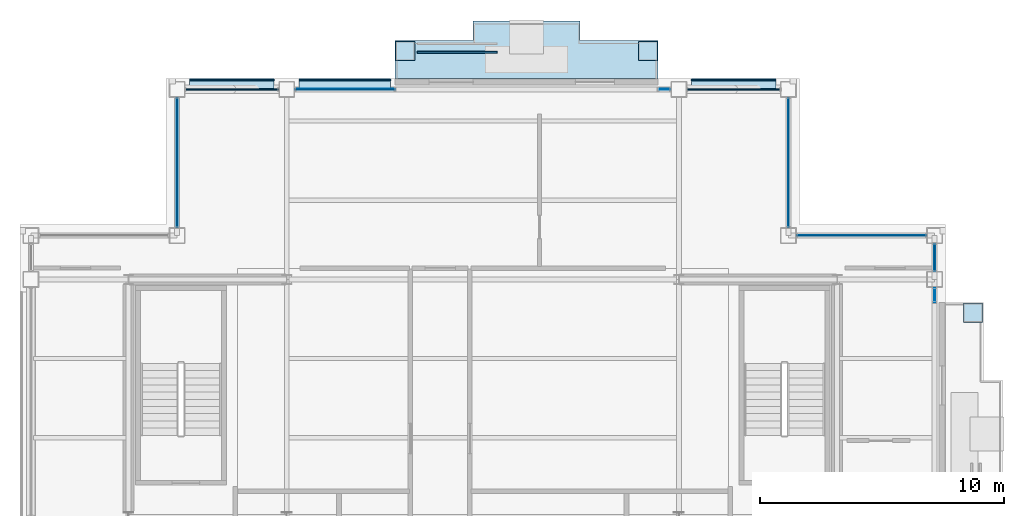
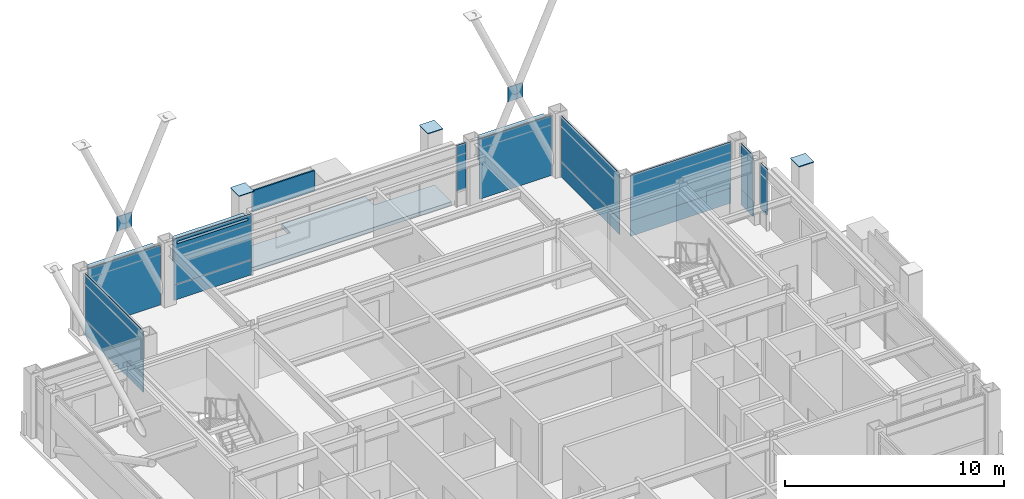
# One storey, part 24 of 30: 26 plates, 1 slab, 9 elements without a shape of their own.
"""IFC4 building model written with IfcOpenShell, lengths in metres."""

from ifc_helpers import new_model, si_unit, direction, frame, origin, origin_2d, place, context, subcontext, project, spatial, polyline, rectangle, outline, extrude, material, layer, layer_set, type_object, element, aggregate, save


model = new_model("IFC4")

# Units and contexts
model_context = context("Model", 3, precision=1e-05, world=origin(), true_north=direction((0.0, 1.0)))
body_context = subcontext(model_context, "Body", "Model", "MODEL_VIEW")
ifc_project = project(units=[si_unit("LENGTHUNIT", "METRE"), si_unit("AREAUNIT", "SQUARE_METRE"), si_unit("VOLUMEUNIT", "CUBIC_METRE"), si_unit("PLANEANGLEUNIT", "RADIAN"), si_unit("MASSUNIT", "GRAM", prefix="KILO")], contexts=[model_context])

# Site, building, storey
site_placement = place(None, origin())
site = spatial("IfcSite", under=ifc_project, at=site_placement, CompositionType="ELEMENT")
building_placement = place(site_placement, origin())
building = spatial("IfcBuilding", under=site, at=building_placement, Name="Brelmoor Portico Tower", CompositionType="ELEMENT")
storey_placement = place(building_placement, frame((0.0, 0.0, 236.39990234375)))
storey = spatial("IfcBuildingStorey", under=building, at=storey_placement, Name="L62", CompositionType="ELEMENT", Elevation=236.39990234375)

# Plates
ifc_material_1 = material(Name="Steel Q355B", Category="steel")
ifc_layer_1 = layer(ifc_material_1, 0.044921875)
ifc_layer_set_1 = layer_set([ifc_layer_1], Name="Steel Q355B")
plate_type_1 = type_object("IfcPlateType", Name="PT-CAP-650", PredefinedType="SHEET", material=ifc_layer_set_1)
for number, where, z_axis, x_axis, name in (
    (1, (-3.179931640625, 19.1298828125, 3.60009765625), (0.0, 0.0, 1.0), (1.0, 0.0, 0.0), "L62 Proud Picture-Frame Pier PFJ-N1 Welded Head Cap Plate"),
    (2, (6.780029296875, 19.1298828125, 3.60009765625), (0.0, 0.0, 1.0), (1.0, 0.0, 0.0), "L62 Proud Picture-Frame Pier PFJ-N2 Welded Head Cap Plate"),
    (3, (20.1298828125, 8.3798828125, 3.60009765625), (0.0, 0.0, 1.0), (0.0, 1.0, 0.0), "L62 Proud Picture-Frame Pier PFJ-E2 Welded Head Cap Plate"),
):
    element("IfcPlate", number, at=place(storey_placement, frame(where, z_axis=z_axis, x_axis=x_axis)), inside=storey, type_object=plate_type_1, Name=name, PredefinedType="SHEET", context=body_context, shape_type="SweptSolid", body=[
        extrude(rectangle(XDim=0.7900390625, YDim=0.7900390625, at=origin_2d()), origin(), (0.0, 0.0, 1.0), 0.0400390625),
    ])

# Curtain wall, plate
ifc_material_2 = material(Name="Anodised Aluminium Alloy 6063-T6", Category="aluminium")
ifc_layer_2 = layer(ifc_material_2, 0.179931640625)
ifc_layer_set_2 = layer_set([ifc_layer_2], Name="Anodised Aluminium Alloy 6063-T6")
curtain_wall_type_1 = type_object("IfcCurtainWallType", Name="CW-TOWER-Z4", PredefinedType="NOTDEFINED", material=ifc_layer_set_2)
curtain_wall_1_placement = place(storey_placement, origin())
curtain_wall_1 = element("IfcCurtainWall", 4, at=curtain_wall_1_placement, inside=storey, type_object=curtain_wall_type_1, Name="L62 Curtain Wall CW-L62-2L-2", PredefinedType="NOTDEFINED")
ifc_material_3 = material(Name="Double-Silver Low-E Insulated Glazing", Category="glass")
ifc_layer_3 = layer(ifc_material_3, 0.035888671875)
ifc_layer_set_3 = layer_set([ifc_layer_3], Name="Double-Silver Low-E Insulated Glazing")
plate_type_2 = type_object("IfcPlateType", Name="PT-CW-GLASS", PredefinedType="CURTAIN_PANEL", material=ifc_layer_set_3)
plate_1_placement = place(storey_placement, frame((-5.657470703125, 17.550048828125, 0.85009765625), z_axis=(0.0, 0.0, 1.0), x_axis=(1.0, 0.0, 0.0)))
plate_1 = element("IfcPlate", 5, at=plate_1_placement, type_object=plate_type_2, Name="CW-L62-2L-2 Vision Glass Panel 00", PredefinedType="CURTAIN_PANEL", context=body_context, shape_type="SweptSolid", body=[
    extrude(rectangle(XDim=4.0849609375, YDim=0.035888671875, at=origin_2d()), origin(), (0.0, 0.0, 1.0), 2.550048828125),
])

curtain_wall_2_placement = place(storey_placement, origin())
curtain_wall_2 = element("IfcCurtainWall", 6, at=curtain_wall_2_placement, inside=storey, type_object=curtain_wall_type_1, Name="L62 Curtain Wall CW-L62-2R-1", PredefinedType="NOTDEFINED")
plate_2_placement = place(storey_placement, frame((7.45751953125, 17.550048828125, 0.85009765625), z_axis=(0.0, 0.0, 1.0), x_axis=(1.0, 0.0, 0.0)))
plate_2 = element("IfcPlate", 7, at=plate_2_placement, type_object=plate_type_2, Name="CW-L62-2R-1 Vision Glass Panel 00", PredefinedType="CURTAIN_PANEL", context=body_context, shape_type="SweptSolid", body=[
    extrude(rectangle(XDim=0.485107421875, YDim=0.035888671875, at=origin_2d()), origin(), (0.0, 0.0, 1.0), 2.550048828125),
])
aggregate(curtain_wall_2, [plate_2])

curtain_wall_3_placement = place(storey_placement, origin())
curtain_wall_3 = element("IfcCurtainWall", 8, at=curtain_wall_3_placement, inside=storey, type_object=curtain_wall_type_1, Name="L62 Curtain Wall CW-L62-4R-1", PredefinedType="NOTDEFINED")
plate_3_placement = place(storey_placement, frame((18.550048828125, 9.107421875, 0.85009765625), z_axis=(0.0, 0.0, 1.0), x_axis=(0.0, 1.0, 0.0)))
plate_3 = element("IfcPlate", 9, at=plate_3_placement, type_object=plate_type_2, Name="CW-L62-4R-1 Vision Glass Panel 00", PredefinedType="CURTAIN_PANEL", context=body_context, shape_type="SweptSolid", body=[
    extrude(rectangle(XDim=0.5849609375, YDim=0.035888671875, at=origin_2d()), origin(), (0.0, 0.0, 1.0), 2.550048828125),
])
aggregate(curtain_wall_3, [plate_3])

curtain_wall_4_placement = place(storey_placement, origin())
curtain_wall_4 = element("IfcCurtainWall", 10, at=curtain_wall_4_placement, inside=storey, type_object=curtain_wall_type_1, Name="L62 Curtain Wall CW-L62-4R-2", PredefinedType="NOTDEFINED")
plate_4_placement = place(storey_placement, frame((18.550048828125, 10.64990234375, 0.85009765625), z_axis=(0.0, 0.0, 1.0), x_axis=(0.0, 1.0, 0.0)))
plate_4 = element("IfcPlate", 11, at=plate_4_placement, type_object=plate_type_2, Name="CW-L62-4R-2 Vision Glass Panel 00", PredefinedType="CURTAIN_PANEL", context=body_context, shape_type="SweptSolid", body=[
    extrude(rectangle(XDim=1.10009765625, YDim=0.035888671875, at=origin_2d()), origin(), (0.0, 0.0, 1.0), 2.550048828125),
])

ifc_layer_4 = layer(ifc_material_2, 0.179931640625)
ifc_layer_set_4 = layer_set([ifc_layer_4], Name="Anodised Aluminium Alloy 6063-T6")
curtain_wall_type_2 = type_object("IfcCurtainWallType", Name="CW-NOTCH-CHAMFER", PredefinedType="NOTDEFINED", material=ifc_layer_set_4)
curtain_wall_5_placement = place(storey_placement, origin())
curtain_wall_5 = element("IfcCurtainWall", 12, at=curtain_wall_5_placement, inside=storey, type_object=curtain_wall_type_2, Name="L62 Curtain Wall CWN-L62-NWV", PredefinedType="NOTDEFINED")
plate_5_placement = place(storey_placement, frame((-12.550048828125, 14.550048828125, 0.85009765625), z_axis=(0.0, 0.0, 1.0), x_axis=(0.0, 1.0, 0.0)))
plate_5 = element("IfcPlate", 13, at=plate_5_placement, type_object=plate_type_2, Name="CWN-L62-NWV Vision Glass Panel 00", PredefinedType="CURTAIN_PANEL", context=body_context, shape_type="SweptSolid", body=[
    extrude(rectangle(XDim=5.300048828125, YDim=0.035888671875, at=origin_2d()), origin(), (0.0, 0.0, 1.0), 2.550048828125),
])

curtain_wall_6_placement = place(storey_placement, origin())
curtain_wall_6 = element("IfcCurtainWall", 14, at=curtain_wall_6_placement, inside=storey, type_object=curtain_wall_type_2, Name="L62 Curtain Wall CWN-L62-NEH", PredefinedType="NOTDEFINED")
plate_6_placement = place(storey_placement, frame((15.550048828125, 11.550048828125, 0.85009765625), z_axis=(0.0, 0.0, 1.0), x_axis=(1.0, 0.0, 0.0)))
plate_6 = element("IfcPlate", 15, at=plate_6_placement, type_object=plate_type_2, Name="CWN-L62-NEH Vision Glass Panel 00", PredefinedType="CURTAIN_PANEL", context=body_context, shape_type="SweptSolid", body=[
    extrude(rectangle(XDim=5.300048828125, YDim=0.035888671875, at=origin_2d()), origin(), (0.0, 0.0, 1.0), 2.550048828125),
])

curtain_wall_7_placement = place(storey_placement, origin())
curtain_wall_7 = element("IfcCurtainWall", 16, at=curtain_wall_7_placement, inside=storey, type_object=curtain_wall_type_2, Name="L62 Curtain Wall CWN-L62-NEV", PredefinedType="NOTDEFINED")
plate_7_placement = place(storey_placement, frame((12.550048828125, 14.550048828125, 0.85009765625), z_axis=(0.0, 0.0, 1.0), x_axis=(0.0, 1.0, 0.0)))
plate_7 = element("IfcPlate", 17, at=plate_7_placement, type_object=plate_type_2, Name="CWN-L62-NEV Vision Glass Panel 00", PredefinedType="CURTAIN_PANEL", context=body_context, shape_type="SweptSolid", body=[
    extrude(rectangle(XDim=5.300048828125, YDim=0.035888671875, at=origin_2d()), origin(), (0.0, 0.0, 1.0), 2.550048828125),
])

ifc_layer_5 = layer(ifc_material_2, 0.179931640625)
ifc_layer_set_5 = layer_set([ifc_layer_5], Name="Anodised Aluminium Alloy 6063-T6")
curtain_wall_type_3 = type_object("IfcCurtainWallType", Name="CW-TOWER-Z4-XB", PredefinedType="NOTDEFINED", material=ifc_layer_set_5)
curtain_wall_8_placement = place(storey_placement, origin())
curtain_wall_8 = element("IfcCurtainWall", 18, at=curtain_wall_8_placement, inside=storey, type_object=curtain_wall_type_3, Name="L62 Curtain Wall CW-L62-2L-1", PredefinedType="NOTDEFINED")
ifc_material_4 = material(Name="Pale Champagne Anodised Aluminium Panel", Category="aluminium")
ifc_layer_6 = layer(ifc_material_4, 0.050048828125)
ifc_layer_set_6 = layer_set([ifc_layer_6], Name="Pale Champagne Anodised Aluminium Panel")
plate_type_3 = type_object("IfcPlateType", Name="PT-CW-SPANDREL", PredefinedType="SHEET", material=ifc_layer_set_6)
plate_8_placement = place(storey_placement, frame((-10.300048828125, 17.550048828125, 0.0), z_axis=(0.0, 0.0, 1.0), x_axis=(1.0, 0.0, 0.0)))
plate_8 = element("IfcPlate", 19, at=plate_8_placement, type_object=plate_type_3, Name="CW-L62-2L-1 Spandrel Panel 00", PredefinedType="SHEET", context=body_context, shape_type="SweptSolid", body=[
    extrude(rectangle(XDim=3.800048828125, YDim=0.050048828125, at=origin_2d()), origin(), (0.0, 0.0, 1.0), 3.33740234375),
])
aggregate(curtain_wall_8, [plate_8])

# Plate
plate_9_placement = place(storey_placement, frame((-5.657470703125, 17.550048828125, 0.0), z_axis=(0.0, 0.0, 1.0), x_axis=(1.0, 0.0, 0.0)))
plate_9 = element("IfcPlate", 20, at=plate_9_placement, type_object=plate_type_3, Name="CW-L62-2L-2 Spandrel Panel 00", PredefinedType="SHEET", context=body_context, shape_type="SweptSolid", body=[
    extrude(rectangle(XDim=4.0849609375, YDim=0.050048828125, at=origin_2d()), origin(), (0.0, 0.0, 1.0), 0.85009765625),
])

aggregate(curtain_wall_1, [plate_9, plate_1])

# Curtain wall, plate
curtain_wall_9_placement = place(storey_placement, origin())
curtain_wall_9 = element("IfcCurtainWall", 21, at=curtain_wall_9_placement, inside=storey, type_object=curtain_wall_type_3, Name="L62 Curtain Wall CW-L62-2R-2", PredefinedType="NOTDEFINED")
plate_10_placement = place(storey_placement, frame((10.300048828125, 17.550048828125, 0.0), z_axis=(0.0, 0.0, 1.0), x_axis=(1.0, 0.0, 0.0)))
plate_10 = element("IfcPlate", 22, at=plate_10_placement, type_object=plate_type_3, Name="CW-L62-2R-2 Spandrel Panel 00", PredefinedType="SHEET", context=body_context, shape_type="SweptSolid", body=[
    extrude(rectangle(XDim=3.800048828125, YDim=0.050048828125, at=origin_2d()), origin(), (0.0, 0.0, 1.0), 3.33740234375),
])
aggregate(curtain_wall_9, [plate_10])

# Plate
plate_11_placement = place(storey_placement, frame((18.550048828125, 10.64990234375, 0.0), z_axis=(0.0, 0.0, 1.0), x_axis=(0.0, 1.0, 0.0)))
plate_11 = element("IfcPlate", 23, at=plate_11_placement, type_object=plate_type_3, Name="CW-L62-4R-2 Spandrel Panel 00", PredefinedType="SHEET", context=body_context, shape_type="SweptSolid", body=[
    extrude(rectangle(XDim=1.10009765625, YDim=0.050048828125, at=origin_2d()), origin(), (0.0, 0.0, 1.0), 0.85009765625),
])

aggregate(curtain_wall_4, [plate_11, plate_4])

plate_12_placement = place(storey_placement, frame((-12.550048828125, 14.550048828125, 0.0), z_axis=(0.0, 0.0, 1.0), x_axis=(0.0, 1.0, 0.0)))
plate_12 = element("IfcPlate", 24, at=plate_12_placement, type_object=plate_type_3, Name="CWN-L62-NWV Spandrel Panel 00", PredefinedType="SHEET", context=body_context, shape_type="SweptSolid", body=[
    extrude(rectangle(XDim=5.300048828125, YDim=0.050048828125, at=origin_2d()), origin(), (0.0, 0.0, 1.0), 0.85009765625),
])

aggregate(curtain_wall_5, [plate_12, plate_5])

plate_13_placement = place(storey_placement, frame((15.550048828125, 11.550048828125, 0.0), z_axis=(0.0, 0.0, 1.0), x_axis=(1.0, 0.0, 0.0)))
plate_13 = element("IfcPlate", 25, at=plate_13_placement, type_object=plate_type_3, Name="CWN-L62-NEH Spandrel Panel 00", PredefinedType="SHEET", context=body_context, shape_type="SweptSolid", body=[
    extrude(rectangle(XDim=5.300048828125, YDim=0.050048828125, at=origin_2d()), origin(), (0.0, 0.0, 1.0), 0.85009765625),
])

aggregate(curtain_wall_6, [plate_13, plate_6])

plate_14_placement = place(storey_placement, frame((12.550048828125, 14.550048828125, 0.0), z_axis=(0.0, 0.0, 1.0), x_axis=(0.0, 1.0, 0.0)))
plate_14 = element("IfcPlate", 26, at=plate_14_placement, type_object=plate_type_3, Name="CWN-L62-NEV Spandrel Panel 00", PredefinedType="SHEET", context=body_context, shape_type="SweptSolid", body=[
    extrude(rectangle(XDim=5.300048828125, YDim=0.050048828125, at=origin_2d()), origin(), (0.0, 0.0, 1.0), 0.85009765625),
])

aggregate(curtain_wall_7, [plate_14, plate_7])

# Plates
ifc_layer_7 = layer(ifc_material_1, 0.050048828125)
ifc_layer_set_7 = layer_set([ifc_layer_7], Name="Steel Q355B")
plate_type_4 = type_object("IfcPlateType", Name="PT-GUSSET-800", PredefinedType="USERDEFINED", material=ifc_layer_set_7)
for number, where, z_axis, x_axis, name in (
    (27, (-10.300048828125, 17.550048828125, 4.89990234375), (0.0, 0.0, 1.0), (1.0, 0.0, 0.0), "L62 Perimeter Mega-Brace Gusset 142"),
    (28, (10.300048828125, 17.550048828125, 4.89990234375), (0.0, 0.0, 1.0), (1.0, 0.0, 0.0), "L62 Perimeter Mega-Brace Gusset 143"),
):
    element("IfcPlate", number, at=place(storey_placement, frame(where, z_axis=z_axis, x_axis=x_axis)), inside=storey, type_object=plate_type_4, Name=name, ObjectType="GUSSET PLATE", PredefinedType="USERDEFINED", context=body_context, shape_type="SweptSolid", body=[
        extrude(rectangle(XDim=0.800048828125, YDim=0.050048828125, at=origin_2d()), origin(), (0.0, 0.0, 1.0), 0.800048828125),
    ])
ifc_material_5 = material(Name="Powder-Coated Aluminium Shuttered Jalousie Louvre", Category="aluminium")
ifc_layer_8 = layer(ifc_material_5, 0.06005859375)
ifc_layer_set_8 = layer_set([ifc_layer_8], Name="Powder-Coated Aluminium Shuttered Jalousie Louvre")
plate_type_5 = type_object("IfcPlateType", Name="PT-JALOUSIE-SHUTTER", PredefinedType="SHEET", material=ifc_layer_set_8)
plate_15_placement = place(storey_placement, frame((-10.300048828125, 17.929931640625, 1.8740234375), z_axis=(0.0, 0.0, 1.0), x_axis=(1.0, 0.0, 0.0)))
element("IfcPlate", 29, at=plate_15_placement, inside=storey, type_object=plate_type_5, Name="CW-L62-2L-1 Perforated Jalousie Solar Screen", PredefinedType="SHEET", context=body_context, shape_type="SweptSolid", body=[
    extrude(rectangle(XDim=3.469970703125, YDim=0.06494140625, at=origin_2d()), origin(), (0.0, 0.0, 1.0), 1.325927734375),
])
plate_16_placement = place(storey_placement, frame((-5.657470703125, 17.929931640625, 1.8740234375), z_axis=(0.0, 0.0, 1.0), x_axis=(1.0, 0.0, 0.0)))
element("IfcPlate", 30, at=plate_16_placement, inside=storey, type_object=plate_type_5, Name="CW-L62-2L-2 Perforated Jalousie Solar Screen", PredefinedType="SHEET", context=body_context, shape_type="SweptSolid", body=[
    extrude(rectangle(XDim=3.7548828125, YDim=0.06494140625, at=origin_2d()), origin(), (0.0, 0.0, 1.0), 1.325927734375),
])
plate_17_placement = place(storey_placement, frame((10.300048828125, 17.929931640625, 1.8740234375), z_axis=(0.0, 0.0, 1.0), x_axis=(1.0, 0.0, 0.0)))
element("IfcPlate", 31, at=plate_17_placement, inside=storey, type_object=plate_type_5, Name="CW-L62-2R-2 Perforated Jalousie Solar Screen", PredefinedType="SHEET", context=body_context, shape_type="SweptSolid", body=[
    extrude(rectangle(XDim=3.469970703125, YDim=0.06494140625, at=origin_2d()), origin(), (0.0, 0.0, 1.0), 1.325927734375),
])
plate_18_placement = place(storey_placement, frame((-1.050048828125, 19.080078125, 2.275146484375), z_axis=(0.0, 0.0, 1.0), x_axis=(1.0, 0.0, 0.0)))
element("IfcPlate", 32, at=plate_18_placement, inside=storey, type_object=plate_type_5, Name="L62 Shuttered Veranda Screen N", PredefinedType="SHEET", context=body_context, shape_type="SweptSolid", body=[
    extrude(rectangle(XDim=3.300048828125, YDim=0.080078125, at=origin_2d()), origin(), (0.0, 0.0, 1.0), 1.14990234375),
])
ifc_material_6 = material(Name="Pale Champagne Perforated Aluminium Solar Screen", Category="aluminium")
ifc_layer_9 = layer(ifc_material_6, 0.054931640625)
ifc_layer_set_9 = layer_set([ifc_layer_9], Name="Pale Champagne Perforated Aluminium Solar Screen")
plate_type_6 = type_object("IfcPlateType", Name="PT-SOLAR-LOUVRE", PredefinedType="SHEET", material=ifc_layer_set_9)
plate_19_placement = place(storey_placement, frame((-10.300048828125, 17.760009765625, 3.09033203125), z_axis=(0.0, 0.0, 1.0), x_axis=(1.0, 0.0, 0.0)))
element("IfcPlate", 33, at=plate_19_placement, inside=storey, type_object=plate_type_6, Name="CW-L62-2L-1 Caribbean Brise-Soleil Solar Screen", PredefinedType="SHEET", context=body_context, shape_type="SweptSolid", body=[
    extrude(rectangle(XDim=3.469970703125, YDim=0.4599609375, at=origin_2d()), origin(), (0.0, 0.0, 1.0), 0.139892578125),
])
plate_20_placement = place(storey_placement, frame((-5.657470703125, 17.760009765625, 3.09033203125), z_axis=(0.0, 0.0, 1.0), x_axis=(1.0, 0.0, 0.0)))
element("IfcPlate", 34, at=plate_20_placement, inside=storey, type_object=plate_type_6, Name="CW-L62-2L-2 Caribbean Brise-Soleil Solar Screen", PredefinedType="SHEET", context=body_context, shape_type="SweptSolid", body=[
    extrude(rectangle(XDim=3.7548828125, YDim=0.4599609375, at=origin_2d()), origin(), (0.0, 0.0, 1.0), 0.139892578125),
])
plate_21_placement = place(storey_placement, frame((10.300048828125, 17.760009765625, 3.09033203125), z_axis=(0.0, 0.0, 1.0), x_axis=(1.0, 0.0, 0.0)))
element("IfcPlate", 35, at=plate_21_placement, inside=storey, type_object=plate_type_6, Name="CW-L62-2R-2 Caribbean Brise-Soleil Solar Screen", PredefinedType="SHEET", context=body_context, shape_type="SweptSolid", body=[
    extrude(rectangle(XDim=3.469970703125, YDim=0.4599609375, at=origin_2d()), origin(), (0.0, 0.0, 1.0), 0.139892578125),
])

# Slab
ifc_material_7 = material(Name="Concrete C40", Category="concrete")
ifc_layer_10 = layer(ifc_material_7, 0.199951171875)
ifc_layer_set_10 = layer_set([ifc_layer_10], Name="Concrete C40")
slab_type = type_object("IfcSlabType", Name="SL-BALCONY-200", PredefinedType="FLOOR", material=ifc_layer_set_10)
slab_placement = place(storey_placement, frame((0.0, 0.0, -0.199951171875)))
element("IfcSlab", 36, at=slab_placement, inside=storey, type_object=slab_type, Name="L62 Loggia Tree Balcony Slab N", PredefinedType="FLOOR", context=body_context, shape_type="SweptSolid", body=[
    extrude(outline(polyline([(-3.60009765625, 18.0), (7.199951171875, 18.0), (7.199951171875, 19.550048828125), (4.0, 19.550048828125), (4.0, 20.35009765625), (-0.39990234375, 20.35009765625), (-0.39990234375, 19.550048828125), (-3.60009765625, 19.550048828125), (-3.60009765625, 18.0)])), origin(), (0.0, 0.0, 1.0), 0.199951171875),
])

save(model, "model.ifc")
